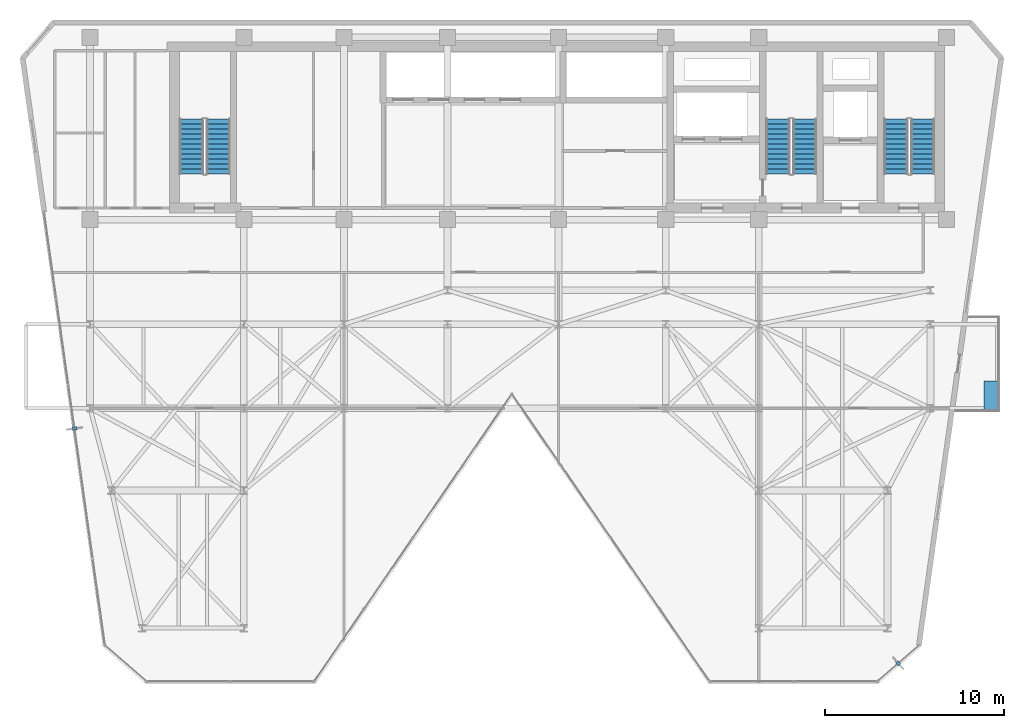
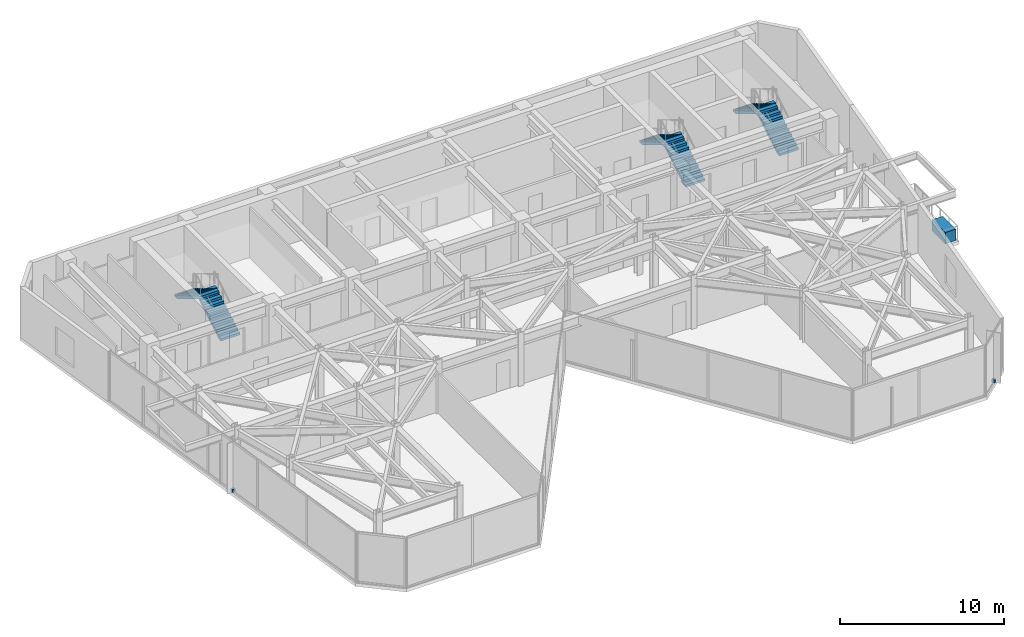
# One storey, part 24 of 26: 6 stair flights, 3 discrete accessories, 3 elements without a shape of their own.
"""IFC4 building model written with IfcOpenShell, lengths in metres."""

from ifc_helpers import new_model, si_unit, direction, frame, origin, origin_2d, place, context, subcontext, project, spatial, polyline, rectangle, outline, extrude, material, layer, layer_set, type_object, element, aggregate, save


model = new_model("IFC4")

# Units and contexts
model_context = context("Model", 3, precision=1e-05, world=origin(), true_north=direction((0.0, 1.0)))
body_context = subcontext(model_context, "Body", "Model", "MODEL_VIEW")
ifc_project = project(units=[si_unit("LENGTHUNIT", "METRE"), si_unit("AREAUNIT", "SQUARE_METRE"), si_unit("VOLUMEUNIT", "CUBIC_METRE"), si_unit("PLANEANGLEUNIT", "RADIAN"), si_unit("MASSUNIT", "GRAM", prefix="KILO")], contexts=[model_context])

# Site, building, storey
site_placement = place(None, origin())
site = spatial("IfcSite", under=ifc_project, at=site_placement, CompositionType="ELEMENT")
building_placement = place(site_placement, origin())
building = spatial("IfcBuilding", under=site, at=building_placement, Name="Kravanh Interchange Tower", CompositionType="ELEMENT")
storey_placement = place(building_placement, frame((0.0, 0.0, 204.5)))
storey = spatial("IfcBuildingStorey", under=building, at=storey_placement, Name="L49", CompositionType="ELEMENT", Elevation=204.5)

# Stair, stair flights
ifc_material_1 = material(Name="Concrete C50/60", Category="concrete")
stair_type = type_object("IfcStairType", Name="Core Fire Exit Dogleg Stair Concrete C50/60", PredefinedType="HALF_TURN_STAIR", material=ifc_material_1)
stair_1_placement = place(storey_placement, origin())
stair_1 = element("IfcStair", 1, at=stair_1_placement, inside=storey, type_object=stair_type, Name="L49 Exit Stair ST1", PredefinedType="HALF_TURN_STAIR")
ifc_material_2 = material(Name="Precast Concrete C50/60", Category="concrete")
ifc_layer = layer(ifc_material_2, 0.199951171875)
ifc_layer_set = layer_set([ifc_layer], Name="Precast Concrete C50/60 Stair Flight 1350mm")
stair_flight_type = type_object("IfcStairFlightType", Name="Precast Concrete C50/60 Stair Flight 1350mm", PredefinedType="STRAIGHT", material=ifc_layer_set)
stair_flight_1_placement = place(storey_placement, frame((65.175048828125, 39.89990234375, 0.0), z_axis=(0.0, 0.0, 1.0), x_axis=(0.0, 1.0, 0.0)))
stair_flight_1 = element("IfcStairFlight", 2, at=stair_flight_1_placement, type_object=stair_flight_type, Name="ST1 flight 1", NumberOfRisers=12, NumberOfTreads=11, PredefinedType="STRAIGHT", RiserHeight=0.166666667, TreadLength=0.28, context=body_context, shape_type="SweptSolid", body=[
    extrude(outline(polyline([(0.0, 0.0), (0.0, 0.166748046875), (0.280029296875, 0.166748046875), (0.280029296875, 0.333251953125), (0.56005859375, 0.333251953125), (0.56005859375, 0.5), (0.840087890625, 0.5), (0.840087890625, 0.666748046875), (1.1201171875, 0.666748046875), (1.1201171875, 0.833251953125), (1.39990234375, 0.833251953125), (1.39990234375, 1.0), (1.679931640625, 1.0), (1.679931640625, 1.166748046875), (1.9599609375, 1.166748046875), (1.9599609375, 1.333251953125), (2.239990234375, 1.333251953125), (2.239990234375, 1.5), (2.52001953125, 1.5), (2.52001953125, 1.666748046875), (2.800048828125, 1.666748046875), (2.800048828125, 1.833251953125), (3.080078125, 1.833251953125), (3.080078125, 2.0), (3.080078125, 1.658935546875), (0.29296875, 0.0), (0.0, 0.0)])), frame((0.0, 0.675048828125, 0.0), z_axis=(0.0, -1.0, 0.0), x_axis=(1.0, 0.0, 0.0)), (0.0, 0.0, 1.0), 1.35009765625),
])
stair_flight_2_placement = place(storey_placement, frame((63.675048828125, 42.97998046875, 2.0), z_axis=(0.0, 0.0, 1.0), x_axis=(0.0, -1.0, 0.0)))
stair_flight_2 = element("IfcStairFlight", 3, at=stair_flight_2_placement, type_object=stair_flight_type, Name="ST1 flight 2", NumberOfRisers=12, NumberOfTreads=11, PredefinedType="STRAIGHT", RiserHeight=0.166666667, TreadLength=0.28, context=body_context, shape_type="SweptSolid", body=[
    extrude(outline(polyline([(0.0, 0.0), (0.0, 0.166748046875), (0.280029296875, 0.166748046875), (0.280029296875, 0.333251953125), (0.56005859375, 0.333251953125), (0.56005859375, 0.5), (0.840087890625, 0.5), (0.840087890625, 0.666748046875), (1.1201171875, 0.666748046875), (1.1201171875, 0.833251953125), (1.39990234375, 0.833251953125), (1.39990234375, 1.0), (1.679931640625, 1.0), (1.679931640625, 1.166748046875), (1.9599609375, 1.166748046875), (1.9599609375, 1.333251953125), (2.239990234375, 1.333251953125), (2.239990234375, 1.5), (2.52001953125, 1.5), (2.52001953125, 1.666748046875), (2.800048828125, 1.666748046875), (2.800048828125, 1.833251953125), (3.080078125, 1.833251953125), (3.080078125, 2.0), (3.080078125, 1.658935546875), (0.29296875, 0.0), (0.0, 0.0)])), frame((0.0, 0.675048828125, 0.0), z_axis=(0.0, -1.0, 0.0), x_axis=(1.0, 0.0, 0.0)), (0.0, 0.0, 1.0), 1.35009765625),
])
aggregate(stair_1, [stair_flight_1, stair_flight_2])

stair_2_placement = place(storey_placement, origin())
stair_2 = element("IfcStair", 4, at=stair_2_placement, inside=storey, type_object=stair_type, Name="L49 Exit Stair ST2", PredefinedType="HALF_TURN_STAIR")
stair_flight_3_placement = place(storey_placement, frame((58.574951171875, 39.89990234375, 0.0), z_axis=(0.0, 0.0, 1.0), x_axis=(0.0, 1.0, 0.0)))
stair_flight_3 = element("IfcStairFlight", 5, at=stair_flight_3_placement, type_object=stair_flight_type, Name="ST2 flight 1", NumberOfRisers=12, NumberOfTreads=11, PredefinedType="STRAIGHT", RiserHeight=0.166666667, TreadLength=0.28, context=body_context, shape_type="SweptSolid", body=[
    extrude(outline(polyline([(0.0, 0.0), (0.0, 0.166748046875), (0.280029296875, 0.166748046875), (0.280029296875, 0.333251953125), (0.56005859375, 0.333251953125), (0.56005859375, 0.5), (0.840087890625, 0.5), (0.840087890625, 0.666748046875), (1.1201171875, 0.666748046875), (1.1201171875, 0.833251953125), (1.39990234375, 0.833251953125), (1.39990234375, 1.0), (1.679931640625, 1.0), (1.679931640625, 1.166748046875), (1.9599609375, 1.166748046875), (1.9599609375, 1.333251953125), (2.239990234375, 1.333251953125), (2.239990234375, 1.5), (2.52001953125, 1.5), (2.52001953125, 1.666748046875), (2.800048828125, 1.666748046875), (2.800048828125, 1.833251953125), (3.080078125, 1.833251953125), (3.080078125, 2.0), (3.080078125, 1.658935546875), (0.29296875, 0.0), (0.0, 0.0)])), frame((0.0, 0.675048828125, 0.0), z_axis=(0.0, -1.0, 0.0), x_axis=(1.0, 0.0, 0.0)), (0.0, 0.0, 1.0), 1.35009765625),
])
stair_flight_4_placement = place(storey_placement, frame((57.074951171875, 42.97998046875, 2.0), z_axis=(0.0, 0.0, 1.0), x_axis=(0.0, -1.0, 0.0)))
stair_flight_4 = element("IfcStairFlight", 6, at=stair_flight_4_placement, type_object=stair_flight_type, Name="ST2 flight 2", NumberOfRisers=12, NumberOfTreads=11, PredefinedType="STRAIGHT", RiserHeight=0.166666667, TreadLength=0.28, context=body_context, shape_type="SweptSolid", body=[
    extrude(outline(polyline([(0.0, 0.0), (0.0, 0.166748046875), (0.280029296875, 0.166748046875), (0.280029296875, 0.333251953125), (0.56005859375, 0.333251953125), (0.56005859375, 0.5), (0.840087890625, 0.5), (0.840087890625, 0.666748046875), (1.1201171875, 0.666748046875), (1.1201171875, 0.833251953125), (1.39990234375, 0.833251953125), (1.39990234375, 1.0), (1.679931640625, 1.0), (1.679931640625, 1.166748046875), (1.9599609375, 1.166748046875), (1.9599609375, 1.333251953125), (2.239990234375, 1.333251953125), (2.239990234375, 1.5), (2.52001953125, 1.5), (2.52001953125, 1.666748046875), (2.800048828125, 1.666748046875), (2.800048828125, 1.833251953125), (3.080078125, 1.833251953125), (3.080078125, 2.0), (3.080078125, 1.658935546875), (0.29296875, 0.0), (0.0, 0.0)])), frame((0.0, 0.675048828125, 0.0), z_axis=(0.0, -1.0, 0.0), x_axis=(1.0, 0.0, 0.0)), (0.0, 0.0, 1.0), 1.35009765625),
])
aggregate(stair_2, [stair_flight_3, stair_flight_4])

stair_3_placement = place(storey_placement, origin())
stair_3 = element("IfcStair", 7, at=stair_3_placement, inside=storey, type_object=stair_type, Name="L49 Exit Stair ST3", PredefinedType="HALF_TURN_STAIR")
stair_flight_5_placement = place(storey_placement, frame((25.77490234375, 39.89990234375, 0.0), z_axis=(0.0, 0.0, 1.0), x_axis=(0.0, 1.0, 0.0)))
stair_flight_5 = element("IfcStairFlight", 8, at=stair_flight_5_placement, type_object=stair_flight_type, Name="ST3 flight 1", NumberOfRisers=12, NumberOfTreads=11, PredefinedType="STRAIGHT", RiserHeight=0.166666667, TreadLength=0.28, context=body_context, shape_type="SweptSolid", body=[
    extrude(outline(polyline([(0.0, 0.0), (0.0, 0.166748046875), (0.280029296875, 0.166748046875), (0.280029296875, 0.333251953125), (0.56005859375, 0.333251953125), (0.56005859375, 0.5), (0.840087890625, 0.5), (0.840087890625, 0.666748046875), (1.1201171875, 0.666748046875), (1.1201171875, 0.833251953125), (1.39990234375, 0.833251953125), (1.39990234375, 1.0), (1.679931640625, 1.0), (1.679931640625, 1.166748046875), (1.9599609375, 1.166748046875), (1.9599609375, 1.333251953125), (2.239990234375, 1.333251953125), (2.239990234375, 1.5), (2.52001953125, 1.5), (2.52001953125, 1.666748046875), (2.800048828125, 1.666748046875), (2.800048828125, 1.833251953125), (3.080078125, 1.833251953125), (3.080078125, 2.0), (3.080078125, 1.658935546875), (0.29296875, 0.0), (0.0, 0.0)])), frame((0.0, 0.675048828125, 0.0), z_axis=(0.0, -1.0, 0.0), x_axis=(1.0, 0.0, 0.0)), (0.0, 0.0, 1.0), 1.35009765625),
])
stair_flight_6_placement = place(storey_placement, frame((24.27490234375, 42.97998046875, 2.0), z_axis=(0.0, 0.0, 1.0), x_axis=(0.0, -1.0, 0.0)))
stair_flight_6 = element("IfcStairFlight", 9, at=stair_flight_6_placement, type_object=stair_flight_type, Name="ST3 flight 2", NumberOfRisers=12, NumberOfTreads=11, PredefinedType="STRAIGHT", RiserHeight=0.166666667, TreadLength=0.28, context=body_context, shape_type="SweptSolid", body=[
    extrude(outline(polyline([(0.0, 0.0), (0.0, 0.166748046875), (0.280029296875, 0.166748046875), (0.280029296875, 0.333251953125), (0.56005859375, 0.333251953125), (0.56005859375, 0.5), (0.840087890625, 0.5), (0.840087890625, 0.666748046875), (1.1201171875, 0.666748046875), (1.1201171875, 0.833251953125), (1.39990234375, 0.833251953125), (1.39990234375, 1.0), (1.679931640625, 1.0), (1.679931640625, 1.166748046875), (1.9599609375, 1.166748046875), (1.9599609375, 1.333251953125), (2.239990234375, 1.333251953125), (2.239990234375, 1.5), (2.52001953125, 1.5), (2.52001953125, 1.666748046875), (2.800048828125, 1.666748046875), (2.800048828125, 1.833251953125), (3.080078125, 1.833251953125), (3.080078125, 2.0), (3.080078125, 1.658935546875), (0.29296875, 0.0), (0.0, 0.0)])), frame((0.0, 0.675048828125, 0.0), z_axis=(0.0, -1.0, 0.0), x_axis=(1.0, 0.0, 0.0)), (0.0, 0.0, 1.0), 1.35009765625),
])
aggregate(stair_3, [stair_flight_5, stair_flight_6])

# Discrete accessories
ifc_material_3 = material(Name="Stainless Steel 316", Category="steel")
discrete_accessory_type_1 = type_object("IfcDiscreteAccessoryType", Name="Solar Fin Curtain-Wall Mounting Bracket Stainless 316", PredefinedType="BRACKET", material=ifc_material_3)
for number, where, z_axis, x_axis, name in (
    (10, (17.729736328125, 25.67041015625, 0.0), (0.0, 0.0, 1.0), (-0.990268182791, -0.139172289451, 0.0), "L49 Solar Fin Mounting Bracket 1"),
    (11, (63.80322265625, 12.530517578125, 0.0), (0.0, 0.0, 1.0), (0.656059988016, -0.754708746554, 0.0), "L49 Solar Fin Mounting Bracket 2"),
):
    element("IfcDiscreteAccessory", number, at=place(storey_placement, frame(where, z_axis=z_axis, x_axis=x_axis)), inside=storey, type_object=discrete_accessory_type_1, Name=name, PredefinedType="BRACKET", context=body_context, shape_type="SweptSolid", body=[
        extrude(rectangle(XDim=0.239990234375, YDim=0.179931640625, at=origin_2d()), origin(), (0.0, 0.0, 1.0), 0.219970703125),
    ])
ifc_material_4 = material(Name="Architectural GRC Concrete C40/50 with Root Barrier", Category="concrete")
discrete_accessory_type_2 = type_object("IfcDiscreteAccessoryType", Name="Structural Balcony Tree Planter Box Concrete C40/50 1600x750x850", PredefinedType="USERDEFINED", material=ifc_material_4)
discrete_accessory_placement = place(storey_placement, frame((68.969970703125, 27.5400390625, 0.0), z_axis=(0.0, 0.0, 1.0), x_axis=(1.0, 0.0, 0.0)))
element("IfcDiscreteAccessory", 12, at=discrete_accessory_placement, inside=storey, type_object=discrete_accessory_type_2, Name="L49 E Balcony TREE PLANTER", ObjectType="PLANTER", PredefinedType="USERDEFINED", context=body_context, shape_type="SweptSolid", body=[
    extrude(rectangle(XDim=0.75, YDim=1.60009765625, at=origin_2d()), origin(), (0.0, 0.0, 1.0), 0.85009765625),
])

save(model, "model.ifc")
